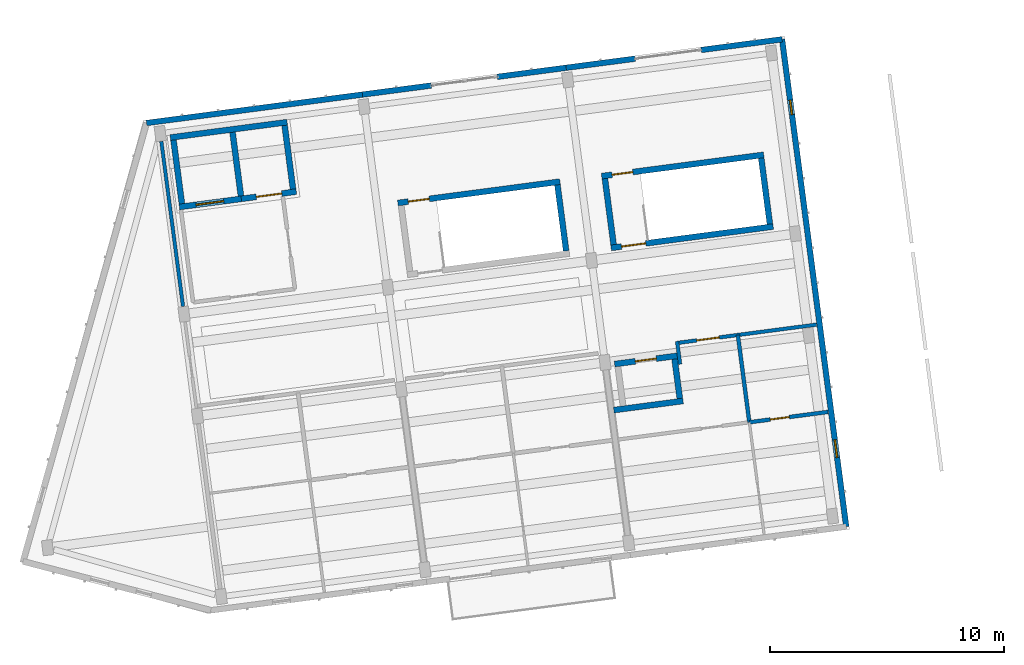
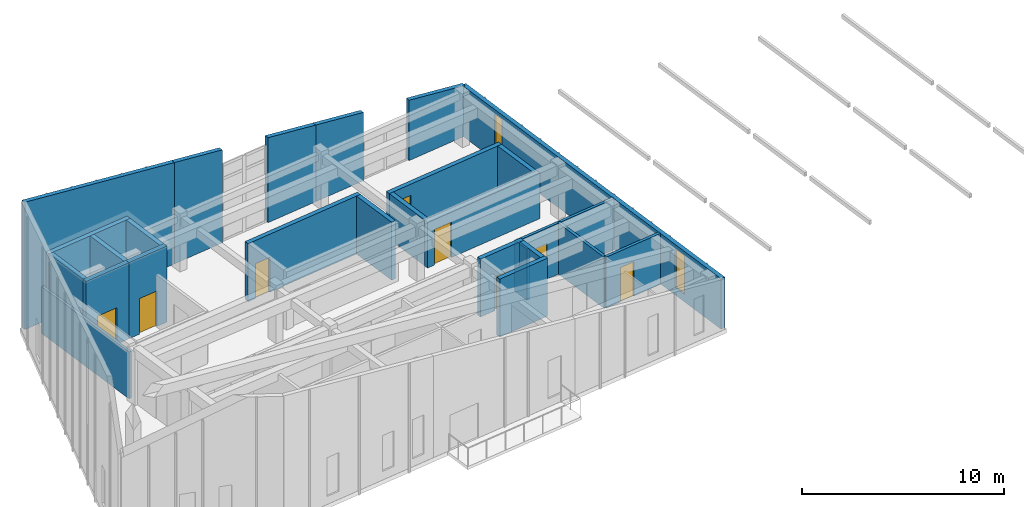
# One storey, part 6 of 10: 26 walls, 8 doors, 2 windows, 10 openings.
"""IFC4 building model written with IfcOpenShell, lengths in metres."""

from ifc_helpers import new_model, si_unit, direction, frame, frame_2d, origin, place, context, subcontext, project, spatial, polyline, rectangle, outline, extrude, material, layer, layer_set, type_object, element, fill, save


model = new_model("IFC4")

# Units and contexts
model_context = context("Model", 3, precision=1e-05, world=origin(), true_north=direction((0.0, 1.0)))
body_context = subcontext(model_context, "Body", "Model", "MODEL_VIEW")
ifc_project = project(units=[si_unit("LENGTHUNIT", "METRE"), si_unit("AREAUNIT", "SQUARE_METRE"), si_unit("VOLUMEUNIT", "CUBIC_METRE"), si_unit("PLANEANGLEUNIT", "RADIAN"), si_unit("MASSUNIT", "GRAM", prefix="KILO")], contexts=[model_context])

# Site, building, storey
site_placement = place(None, origin())
site = spatial("IfcSite", under=ifc_project, at=site_placement, CompositionType="ELEMENT")
building_placement = place(site_placement, origin())
building = spatial("IfcBuilding", under=site, at=building_placement, Name="Kestramere Prow Commons", CompositionType="ELEMENT")
storey_placement = place(building_placement, frame((0.0, 0.0, 44.14990234375)))
storey = spatial("IfcBuildingStorey", under=building, at=storey_placement, Name="L13", CompositionType="ELEMENT", Elevation=44.14990234375)

# Walls
ifc_material_1 = material(Name="Fluoropolymer Standing-Seam Zinc-Aluminium Cladding", Category="aluminium")
ifc_layer_1 = layer(ifc_material_1, 0.239990234375)
ifc_layer_set_1 = layer_set([ifc_layer_1], Name="Fluoropolymer Standing-Seam Zinc-Aluminium Cladding")
wall_type_1 = type_object("IfcWallType", Name="EW-SEAM-240", PredefinedType="SOLIDWALL", material=ifc_layer_set_1)
wall_1_placement = place(storey_placement, frame((8.00048828125, 92.28076171875, 0.0), z_axis=(0.0, 0.0, 1.0), x_axis=(0.991442885224, 0.130541201693, 0.0)))
element("IfcWall", 1, at=wall_1_placement, inside=storey, type_object=wall_type_1, Name="Block A L13 North Standing-Seam Wall 1", PredefinedType="SOLIDWALL", context=body_context, shape_type="SweptSolid", body=[
    extrude(outline(polyline([(0.0, 0.0), (9.324951171875, 0.0), (9.324951171875, 6.11865234375), (0.0, 7.69677734375), (0.0, 0.0)])), frame((0.0, 0.1201171875, 0.0), z_axis=(0.0, -1.0, 0.0), x_axis=(1.0, 0.0, 0.0)), (0.0, 0.0, 1.0), 0.239990234375),
])
wall_2_placement = place(storey_placement, frame((17.24560546875, 93.498046875, 0.0), z_axis=(0.0, 0.0, 1.0), x_axis=(0.991451502252, 0.130475739826, 0.0)))
element("IfcWall", 2, at=wall_2_placement, inside=storey, type_object=wall_type_1, Name="Block A L13 North Standing-Seam Pier 2L", PredefinedType="SOLIDWALL", context=body_context, shape_type="SweptSolid", body=[
    extrude(outline(polyline([(0.0, 0.0), (2.97509765625, 0.0), (2.97509765625, 5.615234375), (0.0, 6.11865234375), (0.0, 0.0)])), frame((0.0, 0.1201171875, 0.0), z_axis=(0.0, -1.0, 0.0), x_axis=(1.0, 0.0, 0.0)), (0.0, 0.0, 1.0), 0.239990234375),
])
wall_3_placement = place(storey_placement, frame((23.020751953125, 94.25830078125, 0.0), z_axis=(0.0, 0.0, 1.0), x_axis=(0.991440883744, 0.130556401758, 0.0)))
element("IfcWall", 3, at=wall_3_placement, inside=storey, type_object=wall_type_1, Name="Block A L13 North Standing-Seam Pier 2R", PredefinedType="SOLIDWALL", context=body_context, shape_type="SweptSolid", body=[
    extrude(outline(polyline([(0.0, 0.0), (2.97509765625, 0.0), (2.97509765625, 4.62939453125), (0.0, 5.1328125), (0.0, 0.0)])), frame((0.0, 0.1201171875, 0.0), z_axis=(0.0, -1.0, 0.0), x_axis=(1.0, 0.0, 0.0)), (0.0, 0.0, 1.0), 0.239990234375),
])
wall_4_placement = place(storey_placement, frame((25.970458984375, 94.646728515625, 0.0), z_axis=(0.0, 0.0, 1.0), x_axis=(0.991450105095, 0.130486356022, 0.0)))
element("IfcWall", 4, at=wall_4_placement, inside=storey, type_object=wall_type_1, Name="Block A L13 North Standing-Seam Pier 3L", PredefinedType="SOLIDWALL", context=body_context, shape_type="SweptSolid", body=[
    extrude(outline(polyline([(0.0, 0.0), (2.974853515625, 0.0), (2.97509765625, 4.125732421875), (0.0, 4.62939453125), (0.0, 0.0)])), frame((0.0, 0.1201171875, 0.0), z_axis=(0.0, -1.0, 0.0), x_axis=(1.0, 0.0, 0.0)), (0.0, 0.0, 1.0), 0.239990234375),
])
wall_5_placement = place(storey_placement, frame((31.74560546875, 95.406982421875, 0.0), z_axis=(0.0, 0.0, 1.0), x_axis=(0.991446458634, 0.130514059249, 0.0)))
element("IfcWall", 5, at=wall_5_placement, inside=storey, type_object=wall_type_1, Name="Block A L13 North Standing-Seam Pier 3R", PredefinedType="SOLIDWALL", context=body_context, shape_type="SweptSolid", body=[
    extrude(outline(polyline([(0.0, 0.0), (3.5, 0.0), (3.5, 3.051025390625), (0.0, 3.6435546875), (0.0, 0.0)])), frame((0.0, 0.1201171875, 0.0), z_axis=(0.0, -1.0, 0.0), x_axis=(1.0, 0.0, 0.0)), (0.0, 0.0, 1.0), 0.239990234375),
])

# Wall, openings, windows
wall_6_placement = place(storey_placement, frame((35.215576171875, 95.86376953125, 0.0), z_axis=(0.0, 0.0, 1.0), x_axis=(0.130525617048, -0.991444937097, 0.0)))
wall_6 = element("IfcWall", 6, at=wall_6_placement, inside=storey, type_object=wall_type_1, Name="Block A L13 EAV Facet Wall", PredefinedType="SOLIDWALL", context=body_context, shape_type="SweptSolid", body=[
    extrude(rectangle(XDim=21.050048828125, YDim=0.239990234375, at=frame_2d((10.52490234375, 0.0))), origin(), (0.0, 0.0, 1.0), 3.051025390625),
])
opening_1_placement = place(wall_6_placement, frame((2.6298828125, 0.0, 0.52001953125)))
opening_1 = element("IfcOpeningElement", 7, at=opening_1_placement, cuts=wall_6, Name="Opening WN-03", PredefinedType="OPENING", context=body_context, shape_type="SweptSolid", body=[
    extrude(rectangle(XDim=0.6201171875, YDim=2.280029296875, at=frame_2d((0.31005859375, 1.14013671875))), frame((0.0, 0.135009765625, 0.0), z_axis=(0.0, -1.0, 0.0), x_axis=(1.0, 0.0, 0.0)), (0.0, 0.0, 1.0), 0.27001953125),
])
opening_2_placement = place(wall_6_placement, frame((17.300048828125, 0.0, 0.449951171875)))
opening_2 = element("IfcOpeningElement", 8, at=opening_2_placement, cuts=wall_6, Name="Opening WN-10", PredefinedType="OPENING", context=body_context, shape_type="SweptSolid", body=[
    extrude(rectangle(XDim=0.760009765625, YDim=2.340087890625, at=frame_2d((0.3798828125, 1.169921875))), frame((0.0, 0.135009765625, 0.0), z_axis=(0.0, -1.0, 0.0), x_axis=(1.0, 0.0, 0.0)), (0.0, 0.0, 1.0), 0.27001953125),
])
ifc_material_2 = material(Name="Low-E Laminated Double Glazing", Category="glass")
window_type_1 = type_object("IfcWindowType", Name="WN-NAR-620A", PartitioningType="SINGLE_PANEL", PredefinedType="WINDOW", material=ifc_material_2)
window_1_placement = place(opening_1_placement, origin())
window_1 = element("IfcWindow", 9, at=window_1_placement, inside=storey, type_object=window_type_1, Name="WN-A-L13-EAV-0", OverallHeight=2.280029296875, OverallWidth=0.6201171875, PartitioningType="SINGLE_PANEL", PredefinedType="WINDOW", context=body_context, shape_type="SweptSolid", body=[
    extrude(rectangle(XDim=0.6201171875, YDim=2.280029296875, at=frame_2d((0.31005859375, 1.14013671875))), frame((0.0, 0.030029296875, 0.0), z_axis=(0.0, -1.0, 0.0), x_axis=(1.0, 0.0, 0.0)), (0.0, 0.0, 1.0), 0.06005859375),
])
fill(opening_1, window_1)
window_type_2 = type_object("IfcWindowType", Name="WN-NAR-760A", PartitioningType="SINGLE_PANEL", PredefinedType="WINDOW", material=ifc_material_2)
window_2_placement = place(opening_2_placement, origin())
window_2 = element("IfcWindow", 10, at=window_2_placement, inside=storey, type_object=window_type_2, Name="WN-A-L13-EAV-1", OverallHeight=2.340087890625, OverallWidth=0.760009765625, PartitioningType="SINGLE_PANEL", PredefinedType="WINDOW", context=body_context, shape_type="SweptSolid", body=[
    extrude(rectangle(XDim=0.760009765625, YDim=2.340087890625, at=frame_2d((0.3798828125, 1.169921875))), frame((0.0, 0.030029296875, 0.0), z_axis=(0.0, -1.0, 0.0), x_axis=(1.0, 0.0, 0.0)), (0.0, 0.0, 1.0), 0.06005859375),
])
fill(opening_2, window_2)

# Wall
ifc_material_3 = material(Name="Concrete C40/50", Category="concrete")
ifc_layer_2 = layer(ifc_material_3, 0.25)
ifc_layer_set_2 = layer_set([ifc_layer_2], Name="Concrete C40/50")
wall_type_2 = type_object("IfcWallType", Name="W-CORE-250", PredefinedType="SHEAR", material=ifc_layer_set_2)
wall_7_placement = place(storey_placement, frame((9.015380859375, 91.657958984375, 0.0), z_axis=(0.0, 0.0, 1.0), x_axis=(0.991444419808, 0.130529546201, 0.0)))
element("IfcWall", 11, at=wall_7_placement, inside=storey, type_object=wall_type_2, Name="Block A L13 Lift Core Back Wall", PredefinedType="SHEAR", context=body_context, shape_type="SweptSolid", body=[
    extrude(rectangle(XDim=5.050048828125, YDim=0.25, at=frame_2d((2.52490234375, 0.0))), origin(), (0.0, 0.0, 1.0), 4.60009765625),
])

# Wall, opening, door
wall_8_placement = place(storey_placement, frame((9.406982421875, 88.68359375, 0.0), z_axis=(0.0, 0.0, 1.0), x_axis=(0.991434713833, 0.130603247307, 0.0)))
wall_8 = element("IfcWall", 12, at=wall_8_placement, inside=storey, type_object=wall_type_2, Name="Block A L13 Fire Lift Shaft Front Wall", PredefinedType="SHEAR", context=body_context, shape_type="SweptSolid", body=[
    extrude(rectangle(XDim=2.675048828125, YDim=0.25, at=frame_2d((1.33740234375, 0.0))), origin(), (0.0, 0.0, 1.0), 4.60009765625),
])
opening_3_placement = place(wall_8_placement, frame((0.719970703125, 0.0, 0.0)))
opening_3 = element("IfcOpeningElement", 13, at=opening_3_placement, cuts=wall_8, Name="Opening LD-02", PredefinedType="OPENING", context=body_context, shape_type="SweptSolid", body=[
    extrude(rectangle(XDim=1.199951171875, YDim=2.199951171875, at=frame_2d((0.60009765625, 1.10009765625))), frame((0.0, 0.139892578125, 0.0), z_axis=(0.0, -1.0, 0.0), x_axis=(1.0, 0.0, 0.0)), (0.0, 0.0, 1.0), 0.280029296875),
])
ifc_material_4 = material(Name="Brushed Stainless Steel 316", Category="steel")
door_type_1 = type_object("IfcDoorType", Name="LD-02", OperationType="DOUBLE_DOOR_SLIDING", PredefinedType="DOOR", material=ifc_material_4)
door_1_placement = place(opening_3_placement, origin())
door_1 = element("IfcDoor", 14, at=door_1_placement, inside=storey, type_object=door_type_1, Name="FL-A1 L13 Lift Landing Door", OperationType="DOUBLE_DOOR_SLIDING", OverallHeight=2.199951171875, OverallWidth=1.199951171875, PredefinedType="DOOR", context=body_context, shape_type="SweptSolid", body=[
    extrude(rectangle(XDim=1.199951171875, YDim=2.199951171875, at=frame_2d((0.60009765625, 1.10009765625))), frame((0.0, 0.02490234375, 0.0), z_axis=(0.0, -1.0, 0.0), x_axis=(1.0, 0.0, 0.0)), (0.0, 0.0, 1.0), 0.050048828125),
])
fill(opening_3, door_1)

wall_9_placement = place(storey_placement, frame((12.05908203125, 89.032958984375, 0.0), z_axis=(0.0, 0.0, 1.0), x_axis=(0.99145534515, 0.130446535303, 0.0)))
wall_9 = element("IfcWall", 15, at=wall_9_placement, inside=storey, type_object=wall_type_2, Name="Block A L13 Passenger Lift Shaft Front Wall", PredefinedType="SHEAR", context=body_context, shape_type="SweptSolid", body=[
    extrude(rectangle(XDim=2.375, YDim=0.25, at=frame_2d((1.1875, 0.0))), origin(), (0.0, 0.0, 1.0), 4.60009765625),
])
opening_4_placement = place(wall_9_placement, frame((0.64990234375, 0.0, 0.0)))
opening_4 = element("IfcOpeningElement", 16, at=opening_4_placement, cuts=wall_9, Name="Opening LD-01", PredefinedType="OPENING", context=body_context, shape_type="SweptSolid", body=[
    extrude(rectangle(XDim=1.10009765625, YDim=2.14990234375, at=frame_2d((0.550048828125, 1.074951171875))), frame((0.0, 0.139892578125, 0.0), z_axis=(0.0, -1.0, 0.0), x_axis=(1.0, 0.0, 0.0)), (0.0, 0.0, 1.0), 0.280029296875),
])
ifc_material_5 = material(Name="Brushed Stainless Steel 304", Category="steel")
door_type_2 = type_object("IfcDoorType", Name="LD-01", OperationType="DOUBLE_DOOR_SLIDING", PredefinedType="DOOR", material=ifc_material_5)
door_2_placement = place(opening_4_placement, origin())
door_2 = element("IfcDoor", 17, at=door_2_placement, inside=storey, type_object=door_type_2, Name="PL-A2 L13 Lift Landing Door", OperationType="DOUBLE_DOOR_SLIDING", OverallHeight=2.14990234375, OverallWidth=1.10009765625, PredefinedType="DOOR", context=body_context, shape_type="SweptSolid", body=[
    extrude(rectangle(XDim=1.10009765625, YDim=2.14990234375, at=frame_2d((0.550048828125, 1.074951171875))), frame((0.0, 0.02490234375, 0.0), z_axis=(0.0, -1.0, 0.0), x_axis=(1.0, 0.0, 0.0)), (0.0, 0.0, 1.0), 0.050048828125),
])
fill(opening_4, door_2)

# Walls
for number, where, z_axis, x_axis, name in (
    (18, (9.5146484375, 88.823974609375, 0.0), (0.0, 0.0, 1.0), (-0.130500441374, 0.991448251197, 0.0), "Block A L13 Lift Core Side Wall L"),
    (19, (12.042724609375, 89.15673828125, 0.0), (0.0, 0.0, 1.0), (-0.130500441374, 0.991448251197, 0.0), "Block A L13 Lift Core Side Wall M"),
    (20, (14.2734375, 89.450439453125, 0.0), (0.0, 0.0, 1.0), (-0.130500441374, 0.991448251197, 0.0), "Block A L13 Lift Core Side Wall R"),
):
    element("IfcWall", number, at=place(storey_placement, frame(where, z_axis=z_axis, x_axis=x_axis)), inside=storey, type_object=wall_type_2, Name=name, PredefinedType="SHEAR", context=body_context, shape_type="SweptSolid", body=[
        extrude(rectangle(XDim=2.75, YDim=0.25, at=frame_2d((1.375, 0.0))), origin(), (0.0, 0.0, 1.0), 4.60009765625),
    ])

# Wall, opening, door
wall_10_placement = place(storey_placement, frame((18.764404296875, 88.856689453125, 0.0), z_axis=(0.0, 0.0, 1.0), x_axis=(0.991447052715, 0.13050954625, 0.0)))
wall_10 = element("IfcWall", 21, at=wall_10_placement, inside=storey, type_object=wall_type_2, Name="ST-A1 L13 North Shaft Wall", PredefinedType="SHEAR", context=body_context, shape_type="SweptSolid", body=[
    extrude(rectangle(XDim=7.0, YDim=0.25, at=frame_2d((3.5, 0.0))), origin(), (0.0, 0.0, 1.0), 3.5),
])
opening_5_placement = place(wall_10_placement, frame((0.449951171875, 0.0, 0.0)))
opening_5 = element("IfcOpeningElement", 22, at=opening_5_placement, cuts=wall_10, Name="Opening ID-08", PredefinedType="OPENING", context=body_context, shape_type="SweptSolid", body=[
    extrude(rectangle(XDim=0.89990234375, YDim=2.10009765625, at=frame_2d((0.449951171875, 1.050048828125))), frame((0.0, 0.139892578125, 0.0), z_axis=(0.0, -1.0, 0.0), x_axis=(1.0, 0.0, 0.0)), (0.0, 0.0, 1.0), 0.280029296875),
])
ifc_material_6 = material(Name="Engineered Timber Flush Door", Category="wood")
door_type_3 = type_object("IfcDoorType", Name="D-RM-01", OperationType="NOTDEFINED", PredefinedType="DOOR", material=ifc_material_6)
door_3_placement = place(opening_5_placement, origin())
door_3 = element("IfcDoor", 23, at=door_3_placement, inside=storey, type_object=door_type_3, Name="ST-A1 L13 North Room Door", OperationType="SINGLE_SWING_RIGHT", OverallHeight=2.10009765625, OverallWidth=0.89990234375, PredefinedType="DOOR", context=body_context, shape_type="SweptSolid", body=[
    extrude(rectangle(XDim=0.89990234375, YDim=2.10009765625, at=frame_2d((0.449951171875, 1.050048828125))), frame((0.0, 0.02490234375, 0.0), z_axis=(0.0, -1.0, 0.0), x_axis=(1.0, 0.0, 0.0)), (0.0, 0.0, 1.0), 0.050048828125),
])
fill(opening_5, door_3)

# Wall
wall_11_placement = place(storey_placement, frame((25.968994140625, 86.804443359375, 0.0), z_axis=(0.0, 0.0, 1.0), x_axis=(-0.130547578832, 0.991442045538, 0.0)))
element("IfcWall", 24, at=wall_11_placement, inside=storey, type_object=wall_type_2, Name="ST-A1 L13 Far Shaft Wall", PredefinedType="SHEAR", context=body_context, shape_type="SweptSolid", body=[
    extrude(rectangle(XDim=2.85009765625, YDim=0.25, at=frame_2d((1.425048828125, 0.0))), origin(), (0.0, 0.0, 1.0), 3.5),
])

# Wall, opening, door
wall_12_placement = place(storey_placement, frame((27.4892578125, 90.005126953125, 0.0), z_axis=(0.0, 0.0, 1.0), x_axis=(0.991441944909, 0.130548343059, 0.0)))
wall_12 = element("IfcWall", 25, at=wall_12_placement, inside=storey, type_object=wall_type_2, Name="ST-A2 L13 North Shaft Wall", PredefinedType="SHEAR", context=body_context, shape_type="SweptSolid", body=[
    extrude(rectangle(XDim=6.999755859375, YDim=0.25, at=frame_2d((3.5, 0.0))), origin(), (0.0, 0.0, 1.0), 2.77490234375),
])
opening_6_placement = place(wall_12_placement, frame((0.449951171875, 0.0, 0.0)))
opening_6 = element("IfcOpeningElement", 26, at=opening_6_placement, cuts=wall_12, Name="Opening ID-08", PredefinedType="OPENING", context=body_context, shape_type="SweptSolid", body=[
    extrude(rectangle(XDim=0.89990234375, YDim=2.10009765625, at=frame_2d((0.449951171875, 1.050048828125))), frame((0.0, 0.139892578125, 0.0), z_axis=(0.0, -1.0, 0.0), x_axis=(1.0, 0.0, 0.0)), (0.0, 0.0, 1.0), 0.280029296875),
])
door_4_placement = place(opening_6_placement, origin())
door_4 = element("IfcDoor", 27, at=door_4_placement, inside=storey, type_object=door_type_3, Name="ST-A2 L13 North Room Door", OperationType="SINGLE_SWING_RIGHT", OverallHeight=2.10009765625, OverallWidth=0.89990234375, PredefinedType="DOOR", context=body_context, shape_type="SweptSolid", body=[
    extrude(rectangle(XDim=0.89990234375, YDim=2.10009765625, at=frame_2d((0.449951171875, 1.050048828125))), frame((0.0, 0.02490234375, 0.0), z_axis=(0.0, -1.0, 0.0), x_axis=(1.0, 0.0, 0.0)), (0.0, 0.0, 1.0), 0.050048828125),
])
fill(opening_6, door_4)

wall_13_placement = place(storey_placement, frame((27.893798828125, 86.931640625, 0.0), z_axis=(0.0, 0.0, 1.0), x_axis=(0.991442539299, 0.130543828916, 0.0)))
wall_13 = element("IfcWall", 28, at=wall_13_placement, inside=storey, type_object=wall_type_2, Name="ST-A2 L13 Corridor Shaft Wall", PredefinedType="SHEAR", context=body_context, shape_type="SweptSolid", body=[
    extrude(rectangle(XDim=7.0, YDim=0.25, at=frame_2d((3.5, 0.0))), origin(), (0.0, 0.0, 1.0), 2.77490234375),
])
opening_7_placement = place(wall_13_placement, frame((0.449951171875, 0.0, 0.0)))
opening_7 = element("IfcOpeningElement", 29, at=opening_7_placement, cuts=wall_13, Name="Opening ID-01", PredefinedType="OPENING", context=body_context, shape_type="SweptSolid", body=[
    extrude(rectangle(XDim=1.050048828125, YDim=2.14990234375, at=frame_2d((0.52490234375, 1.074951171875))), frame((0.0, 0.139892578125, 0.0), z_axis=(0.0, -1.0, 0.0), x_axis=(1.0, 0.0, 0.0)), (0.0, 0.0, 1.0), 0.280029296875),
])
ifc_material_7 = material(Name="Fire-Rated Timber and Steel Frame", Category="steel")
door_type_4 = type_object("IfcDoorType", Name="FD-ST-01", OperationType="NOTDEFINED", PredefinedType="DOOR", material=ifc_material_7)
door_5_placement = place(opening_7_placement, origin())
door_5 = element("IfcDoor", 30, at=door_5_placement, inside=storey, type_object=door_type_4, Name="ST-A2 L13 Protected Stair Door", OperationType="SINGLE_SWING_RIGHT", OverallHeight=2.14990234375, OverallWidth=1.050048828125, PredefinedType="DOOR", context=body_context, shape_type="SweptSolid", body=[
    extrude(rectangle(XDim=1.050048828125, YDim=2.14990234375, at=frame_2d((0.52490234375, 1.074951171875))), frame((0.0, 0.02490234375, 0.0), z_axis=(0.0, -1.0, 0.0), x_axis=(1.0, 0.0, 0.0)), (0.0, 0.0, 1.0), 0.050048828125),
])
fill(opening_7, door_5)

# Walls
wall_14_placement = place(storey_placement, frame((28.00146484375, 87.072021484375, 0.0), z_axis=(0.0, 0.0, 1.0), x_axis=(-0.130547578832, 0.991442045538, 0.0)))
element("IfcWall", 31, at=wall_14_placement, inside=storey, type_object=wall_type_2, Name="ST-A2 L13 Near Shaft Wall", PredefinedType="SHEAR", context=body_context, shape_type="SweptSolid", body=[
    extrude(rectangle(XDim=2.85009765625, YDim=0.25, at=frame_2d((1.425048828125, 0.0))), origin(), (0.0, 0.0, 1.0), 2.77490234375),
])
wall_15_placement = place(storey_placement, frame((34.693603515625, 87.953125, 0.0), z_axis=(0.0, 0.0, 1.0), x_axis=(-0.130474457355, 0.991451671025, 0.0)))
element("IfcWall", 32, at=wall_15_placement, inside=storey, type_object=wall_type_2, Name="ST-A2 L13 Far Shaft Wall", PredefinedType="SHEAR", context=body_context, shape_type="SweptSolid", body=[
    extrude(rectangle(XDim=2.849853515625, YDim=0.25, at=frame_2d((1.4248046875, 0.0))), origin(), (0.0, 0.0, 1.0), 2.77490234375),
])
ifc_material_8 = material(Name="Fire-Rated Calcium Silicate Wall")
ifc_layer_3 = layer(ifc_material_8, 0.155029296875)
ifc_layer_set_3 = layer_set([ifc_layer_3], Name="Fire-Rated Calcium Silicate Wall")
wall_type_3 = type_object("IfcWallType", Name="W-FIRE-150", PredefinedType="PARTITIONING", material=ifc_layer_set_3)
wall_16_placement = place(storey_placement, frame((30.849365234375, 81.949951171875, 0.0), z_axis=(0.0, 0.0, 1.0), x_axis=(-0.13055608231, 0.99144092581, 0.0)))
element("IfcWall", 33, at=wall_16_placement, inside=storey, type_object=wall_type_3, Name="Interior Partition PW-A-L13-HS-CLOSER", PredefinedType="PARTITIONING", context=body_context, shape_type="SweptSolid", body=[
    extrude(rectangle(XDim=0.994873046875, YDim=0.155029296875, at=frame_2d((0.49755859375, 0.0))), origin(), (0.0, 0.0, 1.0), 3.0849609375),
])

# Wall, opening, door
wall_17_placement = place(storey_placement, frame((30.80859375, 82.87255859375, 0.0), z_axis=(0.0, 0.0, 1.0), x_axis=(0.991445332464, 0.130522613887, 0.0)))
wall_17 = element("IfcWall", 34, at=wall_17_placement, inside=storey, type_object=wall_type_3, Name="Interior Partition PW-A-L13-CS-2", PredefinedType="PARTITIONING", context=body_context, shape_type="SweptSolid", body=[
    extrude(rectangle(XDim=5.93505859375, YDim=0.155029296875, at=frame_2d((2.967529296875, 0.0))), origin(), (0.0, 0.0, 1.0), 3.0849609375),
])
opening_8_placement = place(wall_17_placement, frame((0.758056640625, 0.0, 0.0)))
opening_8 = element("IfcOpeningElement", 35, at=opening_8_placement, cuts=wall_17, Name="Opening ID-04", PredefinedType="OPENING", context=body_context, shape_type="SweptSolid", body=[
    extrude(rectangle(XDim=0.97998046875, YDim=2.14990234375, at=frame_2d((0.489990234375, 1.074951171875))), frame((0.0, 0.092529296875, 0.0), z_axis=(0.0, -1.0, 0.0), x_axis=(1.0, 0.0, 0.0)), (0.0, 0.0, 1.0), 0.18505859375),
])
ifc_material_9 = material(Name="Hardwood Fire-Rated Flat Entrance Door", Category="wood")
door_type_5 = type_object("IfcDoorType", Name="FD-ENT-01", OperationType="NOTDEFINED", PredefinedType="DOOR", material=ifc_material_9)
door_6_placement = place(opening_8_placement, origin())
door_6 = element("IfcDoor", 36, at=door_6_placement, inside=storey, type_object=door_type_5, Name="Interior Door DR-A-L13-ENT-S2", OperationType="SINGLE_SWING_RIGHT", OverallHeight=2.14990234375, OverallWidth=0.97998046875, PredefinedType="DOOR", context=body_context, shape_type="SweptSolid", body=[
    extrude(rectangle(XDim=0.97998046875, YDim=2.14990234375, at=frame_2d((0.489990234375, 1.074951171875))), frame((0.0, 0.02490234375, 0.0), z_axis=(0.0, -1.0, 0.0), x_axis=(1.0, 0.0, 0.0)), (0.0, 0.0, 1.0), 0.050048828125),
])
fill(opening_8, door_6)

# Wall
ifc_layer_4 = layer(ifc_material_3, 0.25)
ifc_layer_set_4 = layer_set([ifc_layer_4], Name="Concrete C40/50")
wall_type_4 = type_object("IfcWallType", Name="W-HS-250", PredefinedType="SHEAR", material=ifc_layer_set_4)
wall_18_placement = place(storey_placement, frame((28.01123046875, 79.987548828125, 0.0), z_axis=(0.0, 0.0, 1.0), x_axis=(0.991439837467, 0.130564346904, 0.0)))
element("IfcWall", 37, at=wall_18_placement, inside=storey, type_object=wall_type_4, Name="Block A L13 Household Shelter South Wall", PredefinedType="SHEAR", context=body_context, shape_type="SweptSolid", body=[
    extrude(rectangle(XDim=2.989990234375, YDim=0.25, at=frame_2d((1.4951171875, 0.0))), origin(), (0.0, 0.0, 1.0), 3.5),
])

# Wall, opening, door
wall_19_placement = place(storey_placement, frame((28.044189453125, 81.958740234375, 0.0), z_axis=(0.0, 0.0, 1.0), x_axis=(0.991439824936, 0.130564442062, 0.0)))
wall_19 = element("IfcWall", 38, at=wall_19_placement, inside=storey, type_object=wall_type_4, Name="Block A L13 Household Shelter North Wall", PredefinedType="SHEAR", context=body_context, shape_type="SweptSolid", body=[
    extrude(rectangle(XDim=2.7001953125, YDim=0.25, at=frame_2d((1.35009765625, 0.0))), origin(), (0.0, 0.0, 1.0), 3.5),
])
opening_9_placement = place(wall_19_placement, frame((0.89990234375, 0.0, 0.0)))
opening_9 = element("IfcOpeningElement", 39, at=opening_9_placement, cuts=wall_19, Name="Opening ID-06", PredefinedType="OPENING", context=body_context, shape_type="SweptSolid", body=[
    extrude(rectangle(XDim=0.89990234375, YDim=2.050048828125, at=frame_2d((0.449951171875, 1.02490234375))), frame((0.0, 0.139892578125, 0.0), z_axis=(0.0, -1.0, 0.0), x_axis=(1.0, 0.0, 0.0)), (0.0, 0.0, 1.0), 0.280029296875),
])
ifc_material_10 = material(Name="Galvanised Steel S275JR Household Shelter Door", Category="steel")
door_type_6 = type_object("IfcDoorType", Name="FD-HS-01", OperationType="NOTDEFINED", PredefinedType="DOOR", material=ifc_material_10)
door_7_placement = place(opening_9_placement, origin())
door_7 = element("IfcDoor", 40, at=door_7_placement, inside=storey, type_object=door_type_6, Name="Block A L13 Household Shelter Blast Door", OperationType="SINGLE_SWING_LEFT", OverallHeight=2.050048828125, OverallWidth=0.89990234375, PredefinedType="DOOR", context=body_context, shape_type="SweptSolid", body=[
    extrude(rectangle(XDim=0.89990234375, YDim=2.050048828125, at=frame_2d((0.449951171875, 1.02490234375))), frame((0.0, 0.02490234375, 0.0), z_axis=(0.0, -1.0, 0.0), x_axis=(1.0, 0.0, 0.0)), (0.0, 0.0, 1.0), 0.050048828125),
])
fill(opening_9, door_7)

# Walls
wall_20_placement = place(storey_placement, frame((30.83544921875, 80.485595703125, 0.0), z_axis=(0.0, 0.0, 1.0), x_axis=(-0.1305548243, 0.991441091468, 0.0)))
element("IfcWall", 41, at=wall_20_placement, inside=storey, type_object=wall_type_4, Name="Block A L13 Household Shelter E Wall", PredefinedType="SHEAR", context=body_context, shape_type="SweptSolid", body=[
    extrude(rectangle(XDim=1.699951171875, YDim=0.25, at=frame_2d((0.85009765625, 0.0))), origin(), (0.0, 0.0, 1.0), 3.5),
])
ifc_material_11 = material(Name="Masonry Compartment Wall", Category="masonry")
ifc_layer_5 = layer(ifc_material_11, 0.14990234375)
ifc_layer_set_5 = layer_set([ifc_layer_5], Name="Masonry Compartment Wall")
wall_type_5 = type_object("IfcWallType", Name="W-PART-150", PredefinedType="PARTITIONING", material=ifc_layer_set_5)
wall_21_placement = place(storey_placement, frame((9.56396484375, 84.427734375, 0.0), z_axis=(0.0, 0.0, 1.0), x_axis=(-0.130526257258, 0.991444852811, 0.0)))
element("IfcWall", 42, at=wall_21_placement, inside=storey, type_object=wall_type_5, Name="Interior Partition PW-A-L13-PRW-N", PredefinedType="PARTITIONING", context=body_context, shape_type="SweptSolid", body=[
    extrude(rectangle(XDim=7.130126953125, YDim=0.14990234375, at=frame_2d((3.56494140625, 0.0))), origin(), (0.0, 0.0, 1.0), 2.830078125),
])

# Wall, opening, door
ifc_material_12 = material(Name="Waterproof Sanitary Masonry Wall", Category="masonry")
ifc_layer_6 = layer(ifc_material_12, 0.1650390625)
ifc_layer_set_6 = layer_set([ifc_layer_6], Name="Waterproof Sanitary Masonry Wall")
wall_type_6 = type_object("IfcWallType", Name="W-PLUMB-150", PredefinedType="PLUMBINGWALL", material=ifc_layer_set_6)
wall_22_placement = place(storey_placement, frame((33.81396484375, 79.465576171875, 0.0), z_axis=(0.0, 0.0, 1.0), x_axis=(0.991442315347, 0.130545529753, 0.0)))
wall_22 = element("IfcWall", 43, at=wall_22_placement, inside=storey, type_object=wall_type_6, Name="Interior Partition PW-A-L13-MIDS2-2", PredefinedType="PLUMBINGWALL", context=body_context, shape_type="SweptSolid", body=[
    extrude(rectangle(XDim=3.39990234375, YDim=0.1650390625, at=frame_2d((1.699951171875, 0.0))), origin(), (0.0, 0.0, 1.0), 3.0849609375),
])
opening_10_placement = place(wall_22_placement, frame((0.903076171875, 0.0, 0.0)))
opening_10 = element("IfcOpeningElement", 44, at=opening_10_placement, cuts=wall_22, Name="Opening ID-11", PredefinedType="OPENING", context=body_context, shape_type="SweptSolid", body=[
    extrude(rectangle(XDim=0.820068359375, YDim=2.080078125, at=frame_2d((0.41015625, 1.0400390625))), frame((0.0, 0.097412109375, 0.0), z_axis=(0.0, -1.0, 0.0), x_axis=(1.0, 0.0, 0.0)), (0.0, 0.0, 1.0), 0.195068359375),
])
ifc_material_13 = material(Name="Moisture-Resistant Timber Bathroom Door", Category="wood")
door_type_7 = type_object("IfcDoorType", Name="D-BT-01", OperationType="NOTDEFINED", PredefinedType="DOOR", material=ifc_material_13)
door_8_placement = place(opening_10_placement, origin())
door_8 = element("IfcDoor", 45, at=door_8_placement, inside=storey, type_object=door_type_7, Name="Interior Door DR-A-L13-BTH-S2", OperationType="SINGLE_SWING_LEFT", OverallHeight=2.080078125, OverallWidth=0.820068359375, PredefinedType="DOOR", context=body_context, shape_type="SweptSolid", body=[
    extrude(rectangle(XDim=0.820068359375, YDim=2.080078125, at=frame_2d((0.41015625, 1.0400390625))), frame((0.0, 0.02490234375, 0.0), z_axis=(0.0, -1.0, 0.0), x_axis=(1.0, 0.0, 0.0)), (0.0, 0.0, 1.0), 0.050048828125),
])
fill(opening_10, door_8)

# Wall
wall_23_placement = place(storey_placement, frame((33.81396484375, 79.465576171875, 0.0), z_axis=(0.0, 0.0, 1.0), x_axis=(-0.13048801578, 0.99144988665, 0.0)))
element("IfcWall", 46, at=wall_23_placement, inside=storey, type_object=wall_type_6, Name="Interior Partition PW-A-L13-KB-S2", PredefinedType="PLUMBINGWALL", context=body_context, shape_type="SweptSolid", body=[
    extrude(rectangle(XDim=3.77001953125, YDim=0.1650390625, at=frame_2d((1.885009765625, 0.0))), origin(), (0.0, 0.0, 1.0), 3.0849609375),
])

save(model, "model.ifc")
